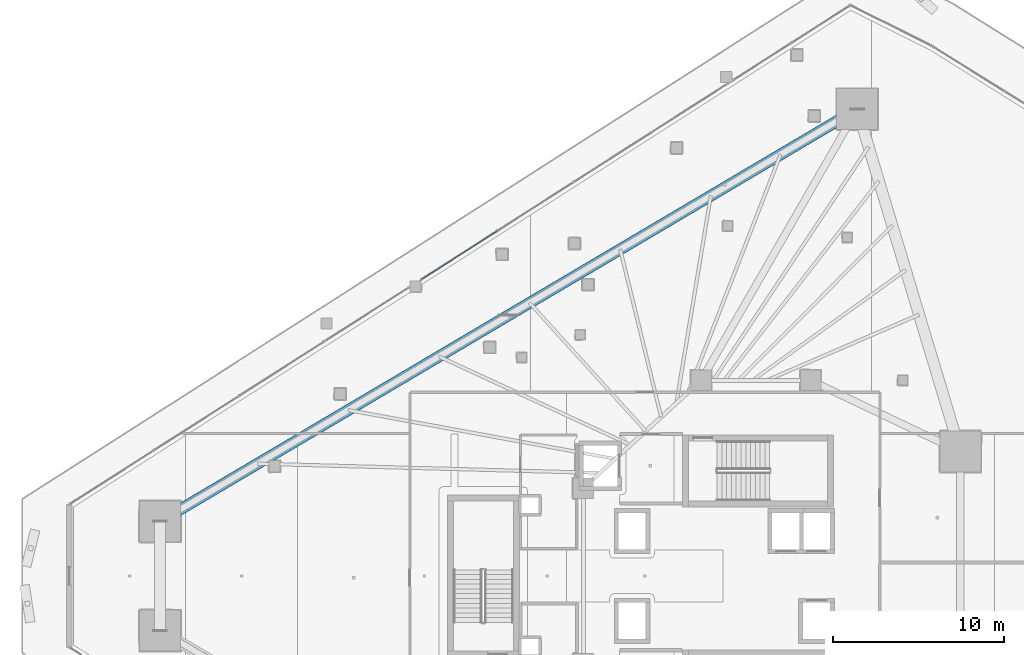
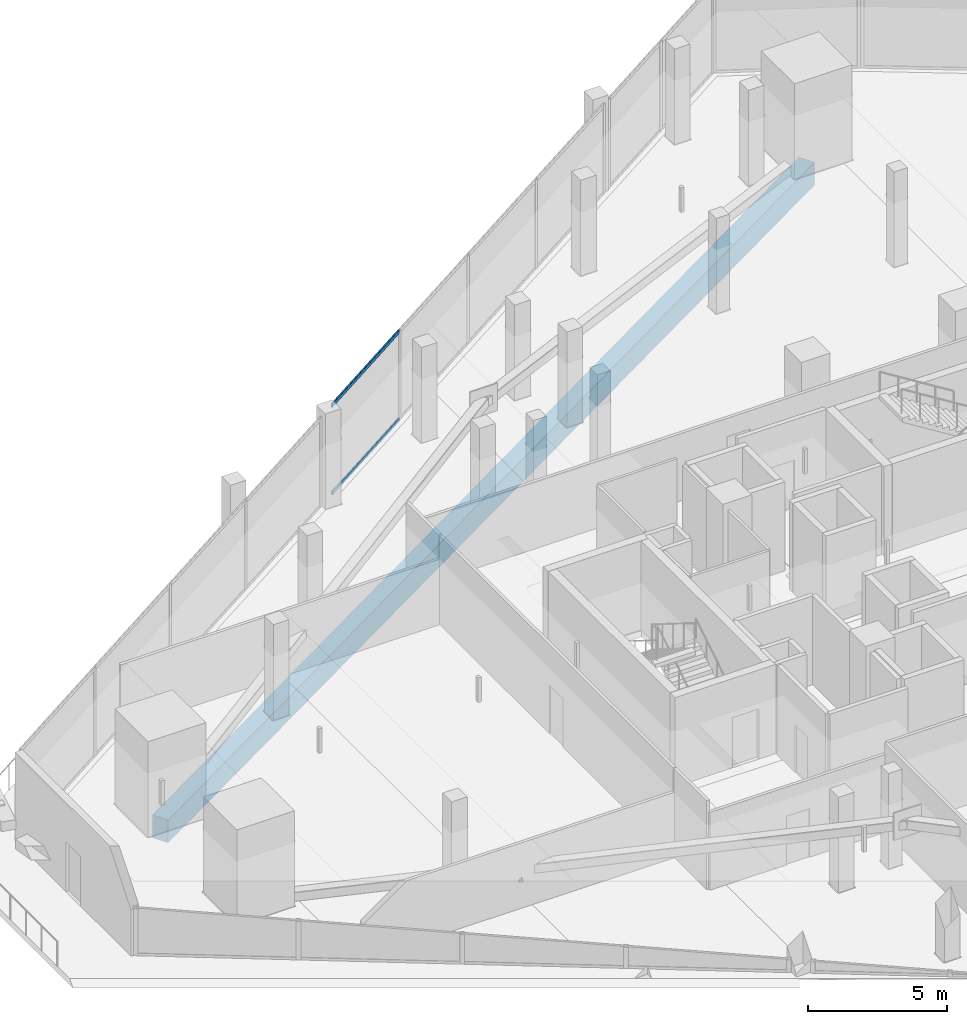
# One storey, part 17 of 45: 2 members, 1 beam, 1 element without a shape of its own.
"""IFC4 building model written with IfcOpenShell, lengths in metres."""

from ifc_helpers import new_model, si_unit, direction, frame, origin, origin_2d, place, context, subcontext, project, spatial, rectangle, hollow_rectangle, extrude, material, layer, layer_set, material_profile, profile_set, type_object, element, aggregate, save


model = new_model("IFC4")

# Units and contexts
model_context = context("Model", 3, precision=1e-05, world=origin(), true_north=direction((0.0, 1.0)))
body_context = subcontext(model_context, "Body", "Model", "MODEL_VIEW")
ifc_project = project(units=[si_unit("LENGTHUNIT", "METRE"), si_unit("AREAUNIT", "SQUARE_METRE"), si_unit("VOLUMEUNIT", "CUBIC_METRE"), si_unit("PLANEANGLEUNIT", "RADIAN"), si_unit("MASSUNIT", "GRAM", prefix="KILO")], contexts=[model_context])

# Site, building, storey
site_placement = place(None, origin())
site = spatial("IfcSite", under=ifc_project, at=site_placement, CompositionType="ELEMENT")
building_placement = place(site_placement, origin())
building = spatial("IfcBuilding", under=site, at=building_placement, Name="Qorvath Tower", CompositionType="ELEMENT")
storey_placement = place(building_placement, frame((0.0, 0.0, 49.199951171875)))
storey = spatial("IfcBuildingStorey", under=building, at=storey_placement, Name="L10", CompositionType="ELEMENT", Elevation=49.199951171875)

# Beam
ifc_material_1 = material(Name="Concrete C50/60", Category="concrete")
ifc_material_profile_1 = material_profile(ifc_material_1, rectangle(XDim=0.64990234375, YDim=1.0, at=origin_2d()), Name="RCB 1000x650")
ifc_profile_set_1 = profile_set([ifc_material_profile_1], Name="Concrete C50/60")
beam_type = type_object("IfcBeamType", Name="BM-RCB1", PredefinedType="SPANDREL", material=ifc_profile_set_1)
beam_placement = place(storey_placement, frame((-14.46435546875, 27.330810546875, -0.780029296875), z_axis=(-0.860777360917, -0.508981664633, 0.0), x_axis=(0.508981664633, -0.860777360917, 0.0)))
element("IfcBeam", 1, at=beam_placement, inside=storey, type_object=beam_type, Name="Perimeter Loggia Frame Beam MC6-MC1 L10", PredefinedType="SPANDREL", context=body_context, shape_type="SweptSolid", body=[
    extrude(rectangle(XDim=0.64990234375, YDim=1.0, at=origin_2d()), origin(), (0.0, 0.0, 1.0), 47.420654296875),
])

# Curtain wall, members
ifc_material_2 = material(Name="Anodised aluminium and triple low-E glass", Category="aluminium")
ifc_layer = layer(ifc_material_2, 0.179931640625)
ifc_layer_set = layer_set([ifc_layer], Name="CW-SYS-2")
curtain_wall_type = type_object("IfcCurtainWallType", Name="CW-SYS-2", PredefinedType="NOTDEFINED", material=ifc_layer_set)
curtain_wall_placement = place(storey_placement, origin())
curtain_wall = element("IfcCurtainWall", 2, at=curtain_wall_placement, inside=storey, type_object=curtain_wall_type, Name="Curtain Wall CW-2 CW-T-L10-16.2", PredefinedType="NOTDEFINED")
ifc_material_3 = material(Name="Anodised aluminium 6063-T6", Category="aluminium")
ifc_material_profile_2 = material_profile(ifc_material_3, hollow_rectangle(XDim=0.06494140625, YDim=0.159912109375, WallThickness=0.00341796875, InnerFilletRadius=0.00341796875, OuterFilletRadius=0.007080078125, at=origin_2d()), Name="CWT 160x65")
ifc_profile_set_2 = profile_set([ifc_material_profile_2], Name="Anodised aluminium 6063-T6")
member_type = type_object("IfcMemberType", Name="CWT-160", PredefinedType="USERDEFINED", material=ifc_profile_set_2)
member_1_placement = place(storey_placement, frame((-35.5517578125, 20.185791015625, 0.032470703125), z_axis=(-0.842592429827, -0.53855175907, 0.0), x_axis=(0.53855175907, -0.842592429827, 0.0)))
member_1 = element("IfcMember", 3, at=member_1_placement, type_object=member_type, Name="CW-2 transom 4.1", ObjectType="TRANSOM", PredefinedType="USERDEFINED", context=body_context, shape_type="SweptSolid", body=[
    extrude(hollow_rectangle(XDim=0.06494140625, YDim=0.159912109375, WallThickness=0.00341796875, InnerFilletRadius=0.00341796875, OuterFilletRadius=0.007080078125, at=origin_2d()), origin(), (0.0, 0.0, 1.0), 5.245849609375),
])
member_2_placement = place(storey_placement, frame((-35.5517578125, 20.185791015625, 3.8876953125), z_axis=(-0.842592429827, -0.53855175907, 0.0), x_axis=(0.53855175907, -0.842592429827, 0.0)))
member_2 = element("IfcMember", 4, at=member_2_placement, type_object=member_type, Name="CW-2 transom 4.2", ObjectType="TRANSOM", PredefinedType="USERDEFINED", context=body_context, shape_type="SweptSolid", body=[
    extrude(hollow_rectangle(XDim=0.06494140625, YDim=0.159912109375, WallThickness=0.00341796875, InnerFilletRadius=0.00341796875, OuterFilletRadius=0.007080078125, at=origin_2d()), origin(), (0.0, 0.0, 1.0), 5.245849609375),
])
aggregate(curtain_wall, [member_1, member_2])

save(model, "model.ifc")
